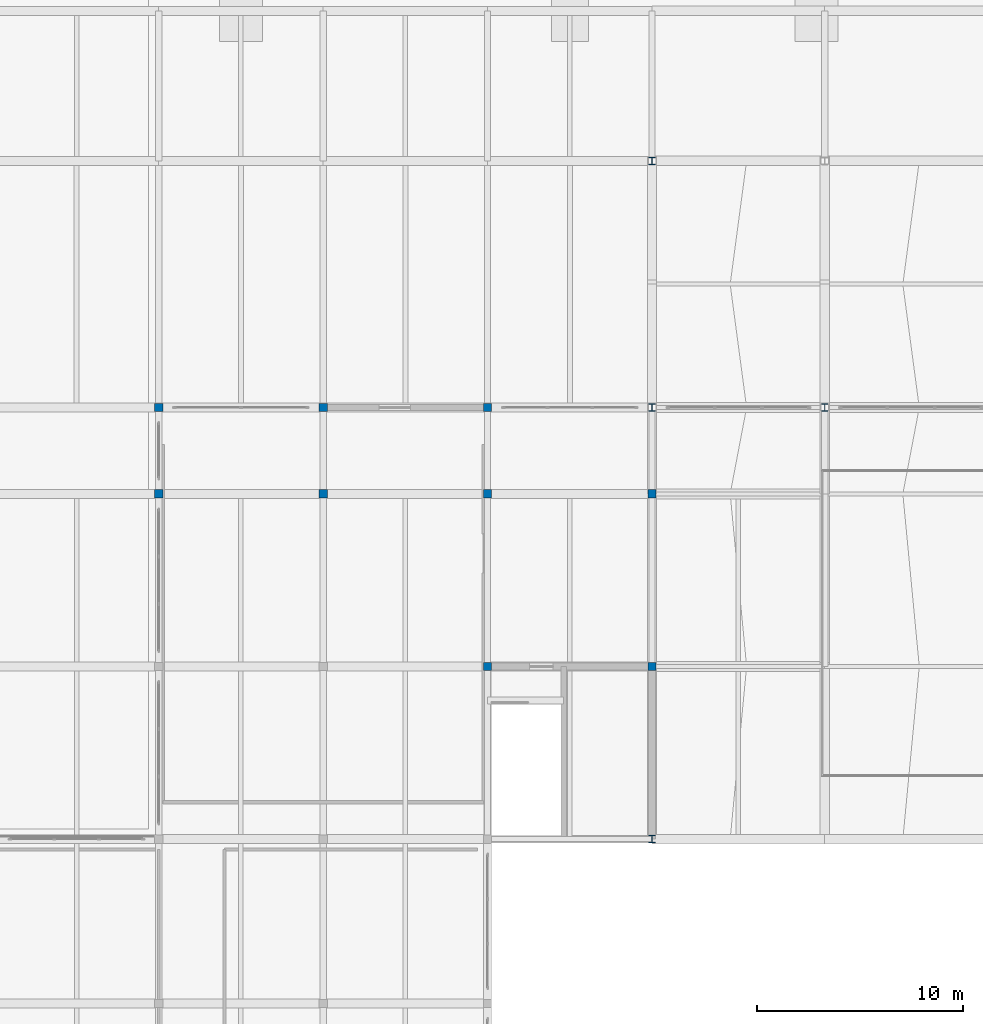
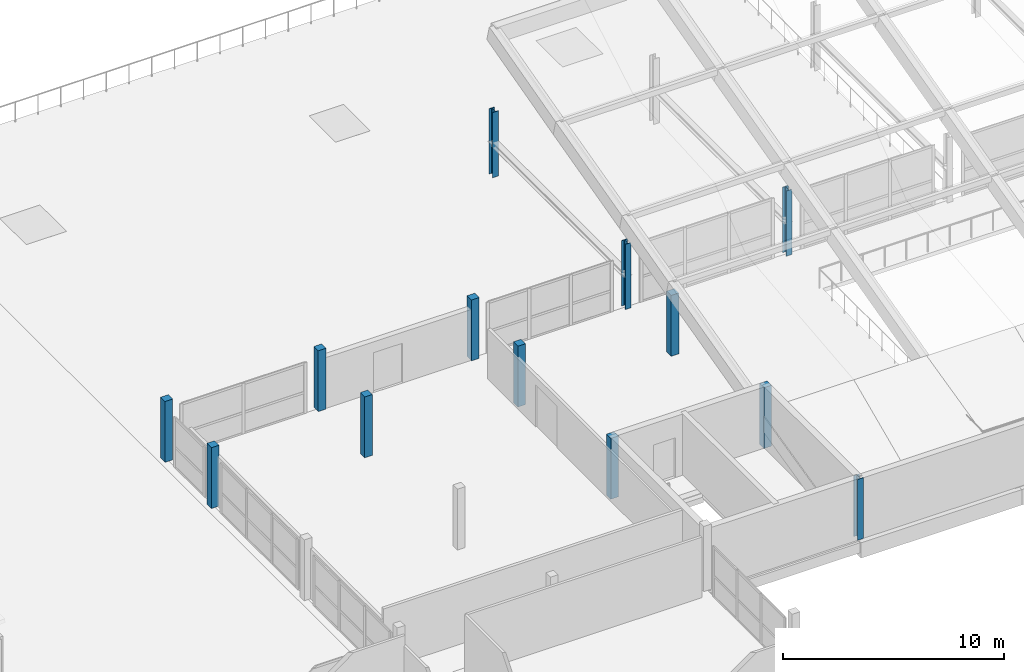
# One storey, part 2 of 51: 13 columns.
"""IFC4 building model written with IfcOpenShell, lengths in metres."""

from ifc_helpers import new_model, si_unit, direction, frame, origin, origin_2d, place, context, subcontext, project, spatial, rectangle, i_section, extrude, material, material_profile, profile_set, type_object, element, save


model = new_model("IFC4")

# Units and contexts
model_context = context("Model", 3, precision=1e-05, world=origin(), true_north=direction((0.0, 1.0)))
body_context = subcontext(model_context, "Body", "Model", "MODEL_VIEW")
ifc_project = project(units=[si_unit("LENGTHUNIT", "METRE"), si_unit("AREAUNIT", "SQUARE_METRE"), si_unit("VOLUMEUNIT", "CUBIC_METRE"), si_unit("PLANEANGLEUNIT", "RADIAN"), si_unit("MASSUNIT", "GRAM", prefix="KILO")], contexts=[model_context])

# Site, building, storey
site_placement = place(None, origin())
site = spatial("IfcSite", under=ifc_project, at=site_placement, CompositionType="ELEMENT")
building_placement = place(site_placement, origin())
building = spatial("IfcBuilding", under=site, at=building_placement, Name="Vharandega Faculty of Natural Sciences", CompositionType="ELEMENT")
storey_placement = place(building_placement, frame((0.0, 0.0, 18.0)))
storey = spatial("IfcBuildingStorey", under=building, at=storey_placement, Name="L04", CompositionType="ELEMENT", Elevation=18.0)

# Columns
ifc_material_1 = material(Name="Glulam GL32h", Category="wood")
ifc_material_profile_1 = material_profile(ifc_material_1, rectangle(XDim=0.39990234375, YDim=0.39990234375, at=origin_2d()), Name="GL32h 400x400")
ifc_profile_set_1 = profile_set([ifc_material_profile_1], Name="Glulam GL32h")
column_type_1 = type_object("IfcColumnType", Name="Glulam Column 400x400", PredefinedType="COLUMN", material=ifc_profile_set_1)
for number, where, z_axis, x_axis, name in (
    (1, (32.0, 80.800048828125, 0.0), (0.0, 0.0, 1.0), (1.0, 0.0, 0.0), "Column 5/L L04"),
    (2, (32.0, 85.0, 0.0), (0.0, 0.0, 1.0), (1.0, 0.0, 0.0), "Column 5/M L04"),
    (3, (40.0, 80.800048828125, 0.0), (0.0, 0.0, 1.0), (1.0, 0.0, 0.0), "Column 6/L L04"),
    (4, (40.0, 85.0, 0.0), (0.0, 0.0, 1.0), (1.0, 0.0, 0.0), "Column 6/M L04"),
    (5, (48.0, 72.39990234375, 0.0), (0.0, 0.0, 1.0), (1.0, 0.0, 0.0), "Column 7/K L04"),
    (6, (48.0, 80.800048828125, 0.0), (0.0, 0.0, 1.0), (1.0, 0.0, 0.0), "Column 7/L L04"),
    (7, (48.0, 85.0, 0.0), (0.0, 0.0, 1.0), (1.0, 0.0, 0.0), "Column 7/M L04"),
    (8, (56.0, 72.39990234375, 0.0), (0.0, 0.0, 1.0), (1.0, 0.0, 0.0), "Column 8/K L04"),
    (9, (56.0, 80.800048828125, 0.0), (0.0, 0.0, 1.0), (1.0, 0.0, 0.0), "Column 8/L L04"),
):
    element("IfcColumn", number, at=place(storey_placement, frame(where, z_axis=z_axis, x_axis=x_axis)), inside=storey, type_object=column_type_1, Name=name, PredefinedType="COLUMN", context=body_context, shape_type="SweptSolid", body=[
        extrude(rectangle(XDim=0.39990234375, YDim=0.39990234375, at=origin_2d()), origin(), (0.0, 0.0, 1.0), 3.360107421875),
    ])
ifc_material_2 = material(Name="Steel S355", Category="steel")
ifc_material_profile_2 = material_profile(ifc_material_2, i_section(OverallWidth=0.300048828125, OverallDepth=0.360107421875, WebThickness=0.012451171875, FlangeThickness=0.0224609375, FilletRadius=0.027099609375, at=origin_2d()), Name="HEB 360")
ifc_profile_set_2 = profile_set([ifc_material_profile_2], Name="Steel S355")
column_type_2 = type_object("IfcColumnType", Name="Steel Column HEB 360", PredefinedType="COLUMN", material=ifc_profile_set_2)
column_placement = place(storey_placement, frame((56.0, 64.0, 0.0), z_axis=(0.0, 0.0, 1.0), x_axis=(1.0, 0.0, 0.0)))
element("IfcColumn", 10, at=column_placement, inside=storey, type_object=column_type_2, Name="Column 8/J L04", PredefinedType="COLUMN", context=body_context, shape_type="SweptSolid", body=[
    extrude(i_section(OverallWidth=0.300048828125, OverallDepth=0.360107421875, WebThickness=0.012451171875, FlangeThickness=0.0224609375, FilletRadius=0.027099609375, at=origin_2d()), origin(), (0.0, 0.0, 1.0), 3.360107421875),
])
for number, where, z_axis, x_axis, name in (
    (11, (56.0, 85.0, 0.0), (0.0, 0.0, 1.0), (1.0, 0.0, 0.0), "Column 8/M L04"),
    (12, (56.0, 97.0, 0.0), (0.0, 0.0, 1.0), (1.0, 0.0, 0.0), "Column 8/N L04"),
    (13, (64.39990234375, 85.0, 0.0), (0.0, 0.0, 1.0), (1.0, 0.0, 0.0), "Column 9/M L04"),
):
    element("IfcColumn", number, at=place(storey_placement, frame(where, z_axis=z_axis, x_axis=x_axis)), inside=storey, type_object=column_type_2, Name=name, PredefinedType="COLUMN", context=body_context, shape_type="SweptSolid", body=[
        extrude(i_section(OverallWidth=0.300048828125, OverallDepth=0.360107421875, WebThickness=0.012451171875, FlangeThickness=0.0224609375, FilletRadius=0.027099609375, at=origin_2d()), origin(), (0.0, 0.0, 1.0), 3.60009765625),
    ])

save(model, "model.ifc")
